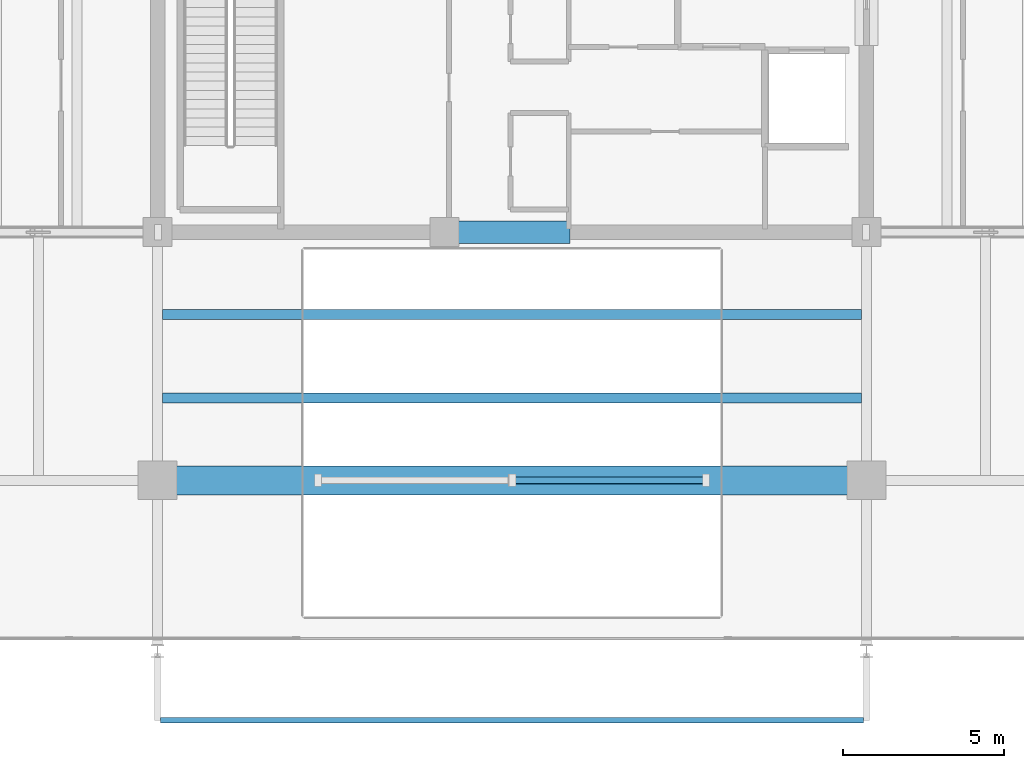
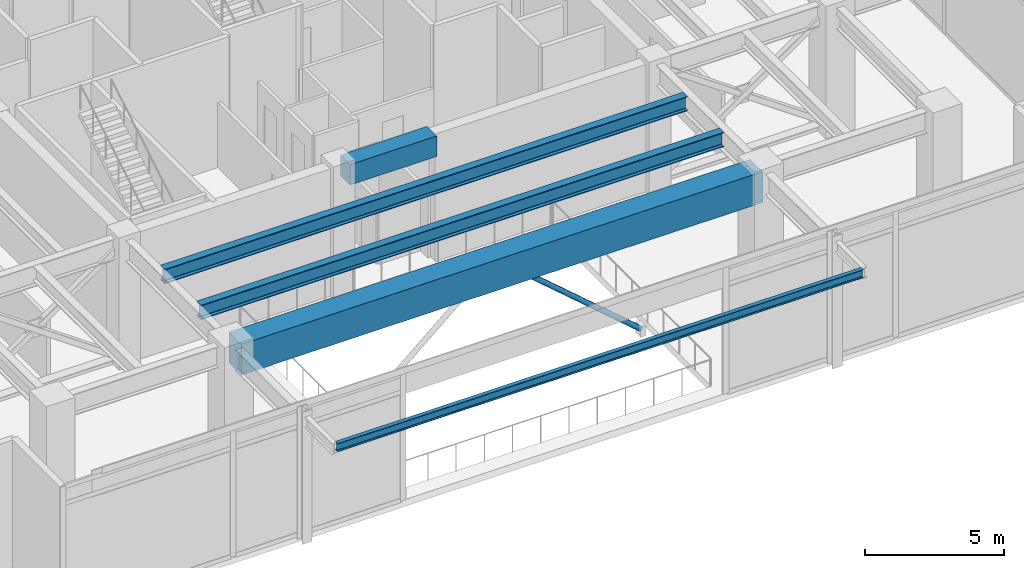
# One storey, part 5 of 26: 5 beams, 1 member.
"""IFC4 building model written with IfcOpenShell, lengths in metres."""

from ifc_helpers import new_model, si_unit, direction, frame, origin, origin_2d, place, context, subcontext, project, spatial, rectangle, hollow_circle, i_section, extrude, material, material_profile, profile_set, type_object, element, save


model = new_model("IFC4")

# Units and contexts
model_context = context("Model", 3, precision=1e-05, world=origin(), true_north=direction((0.0, 1.0)))
body_context = subcontext(model_context, "Body", "Model", "MODEL_VIEW")
ifc_project = project(units=[si_unit("LENGTHUNIT", "METRE"), si_unit("AREAUNIT", "SQUARE_METRE"), si_unit("VOLUMEUNIT", "CUBIC_METRE"), si_unit("PLANEANGLEUNIT", "RADIAN"), si_unit("MASSUNIT", "GRAM", prefix="KILO")], contexts=[model_context])

# Site, building, storey
site_placement = place(None, origin())
site = spatial("IfcSite", under=ifc_project, at=site_placement, CompositionType="ELEMENT")
building_placement = place(site_placement, origin())
building = spatial("IfcBuilding", under=site, at=building_placement, Name="Kovane Verandah Tower", CompositionType="ELEMENT")
storey_placement = place(building_placement, frame((0.0, 0.0, 301.0)))
storey = spatial("IfcBuildingStorey", under=building, at=storey_placement, Name="L70", CompositionType="ELEMENT", Elevation=301.0)

# Beams
ifc_material_1 = material(Name="Concrete C60/75", Category="concrete")
ifc_material_profile_1 = material_profile(ifc_material_1, rectangle(XDim=0.699951171875, YDim=0.89990234375, at=origin_2d()), Name="RCB700x900")
ifc_profile_set_1 = profile_set([ifc_material_profile_1], Name="Concrete C60/75")
beam_type_1 = type_object("IfcBeamType", Name="BM-LINTEL-700x900", PredefinedType="LINTEL", material=ifc_profile_set_1)
beam_1_placement = place(storey_placement, frame((38.199951171875, 18.5, 5.135009765625), z_axis=(1.0, 0.0, 0.0), x_axis=(0.0, 1.0, 0.0)))
element("IfcBeam", 1, at=beam_1_placement, inside=storey, type_object=beam_type_1, Name="L70 Core Coupling Lintel CL-S", PredefinedType="LINTEL", context=body_context, shape_type="SweptSolid", body=[
    extrude(rectangle(XDim=0.699951171875, YDim=0.89990234375, at=origin_2d()), origin(), (0.0, 0.0, 1.0), 3.60009765625),
])
ifc_material_2 = material(Name="Concrete C80/95", Category="concrete")
ifc_material_profile_2 = material_profile(ifc_material_2, rectangle(XDim=0.89990234375, YDim=1.35009765625, at=origin_2d()), Name="RCB900x1350")
ifc_profile_set_2 = profile_set([ifc_material_profile_2], Name="Concrete C80/95")
beam_type_2 = type_object("IfcBeamType", Name="BM-TR-900x1350", PredefinedType="BEAM", material=ifc_profile_set_2)
beam_2_placement = place(storey_placement, frame((29.179931640625, 10.800048828125, 4.909912109375), z_axis=(1.0, 0.0, 0.0), x_axis=(0.0, 1.0, 0.0)))
element("IfcBeam", 2, at=beam_2_placement, inside=storey, type_object=beam_type_2, Name="L70 Primary Tower Girder G-RS2", PredefinedType="BEAM", context=body_context, shape_type="SweptSolid", body=[
    extrude(rectangle(XDim=0.89990234375, YDim=1.35009765625, at=origin_2d()), origin(), (0.0, 0.0, 1.0), 21.64013671875),
])
ifc_material_3 = material(Name="Steel S460", Category="steel")
ifc_material_profile_3 = material_profile(ifc_material_3, i_section(OverallWidth=0.311279296875, OverallDepth=0.6357421875, WebThickness=0.018310546875, FlangeThickness=0.031494140625, FilletRadius=0.0166015625, at=origin_2d()), Name="UB610x305x238")
ifc_profile_set_3 = profile_set([ifc_material_profile_3], Name="Steel S460")
beam_type_3 = type_object("IfcBeamType", Name="BM-UB610x238", PredefinedType="BEAM", material=ifc_profile_set_3)
for number, where, z_axis, x_axis, name in (
    (3, (29.15185546875, 13.35009765625, 5.26708984375), (1.0, 0.0, 0.0), (0.0, 1.0, 0.0), "L70 Secondary Composite Joist J-S1"),
    (4, (29.15185546875, 15.949951171875, 5.26708984375), (1.0, 0.0, 0.0), (0.0, 1.0, 0.0), "L70 Secondary Composite Joist J-S2"),
):
    element("IfcBeam", number, at=place(storey_placement, frame(where, z_axis=z_axis, x_axis=x_axis)), inside=storey, type_object=beam_type_3, Name=name, PredefinedType="BEAM", context=body_context, shape_type="SweptSolid", body=[
        extrude(i_section(OverallWidth=0.311279296875, OverallDepth=0.6357421875, WebThickness=0.018310546875, FlangeThickness=0.031494140625, FilletRadius=0.0166015625, at=origin_2d()), origin(), (0.0, 0.0, 1.0), 21.6962890625),
    ])

# Member
ifc_material_4 = material(Name="Steel S355", Category="steel")
ifc_material_profile_4 = material_profile(ifc_material_4, hollow_circle(Radius=0.109619140625, WallThickness=0.008056640625, at=origin_2d()), Name="CHS219.1x8")
ifc_profile_set_4 = profile_set([ifc_material_profile_4], Name="Steel S355")
member_type = type_object("IfcMemberType", Name="MEM-STRUT-CHS219", PredefinedType="STRUT", material=ifc_profile_set_4)
member_placement = place(storey_placement, frame((46.0, 10.800048828125, 0.1201171875), z_axis=(-0.757885694827, 0.0, 0.652387364667), x_axis=(0.0, -1.0, 0.0)))
element("IfcMember", 5, at=member_placement, inside=storey, type_object=member_type, Name="L70 Wind-Portal Aerodynamic V-Strut 2B", PredefinedType="STRUT", context=body_context, shape_type="SweptSolid", body=[
    extrude(hollow_circle(Radius=0.109619140625, WallThickness=0.008056640625, at=origin_2d()), origin(), (0.0, 0.0, 1.0), 7.916748046875),
])

# Beam
ifc_material_profile_5 = material_profile(ifc_material_4, i_section(OverallWidth=0.173095703125, OverallDepth=0.36328125, WebThickness=0.009033203125, FlangeThickness=0.015625, FilletRadius=0.01025390625, at=origin_2d()), Name="UB356x171x67")
ifc_profile_set_5 = profile_set([ifc_material_profile_5], Name="Steel S355")
beam_type_4 = type_object("IfcBeamType", Name="SPD-UB356x67", PredefinedType="USERDEFINED", material=ifc_profile_set_5)
beam_3_placement = place(storey_placement, frame((29.094482421875, 3.35009765625, 5.37841796875), z_axis=(1.0, 0.0, 0.0), x_axis=(0.0, 1.0, 0.0)))
element("IfcBeam", 6, at=beam_3_placement, inside=storey, type_object=beam_type_4, Name="L70 South Planter Edge Spandrel", ObjectType="SPANDREL", PredefinedType="USERDEFINED", context=body_context, shape_type="SweptSolid", body=[
    extrude(i_section(OverallWidth=0.173095703125, OverallDepth=0.36328125, WebThickness=0.009033203125, FlangeThickness=0.015625, FilletRadius=0.01025390625, at=origin_2d()), origin(), (0.0, 0.0, 1.0), 21.81103515625),
])

save(model, "model.ifc")
